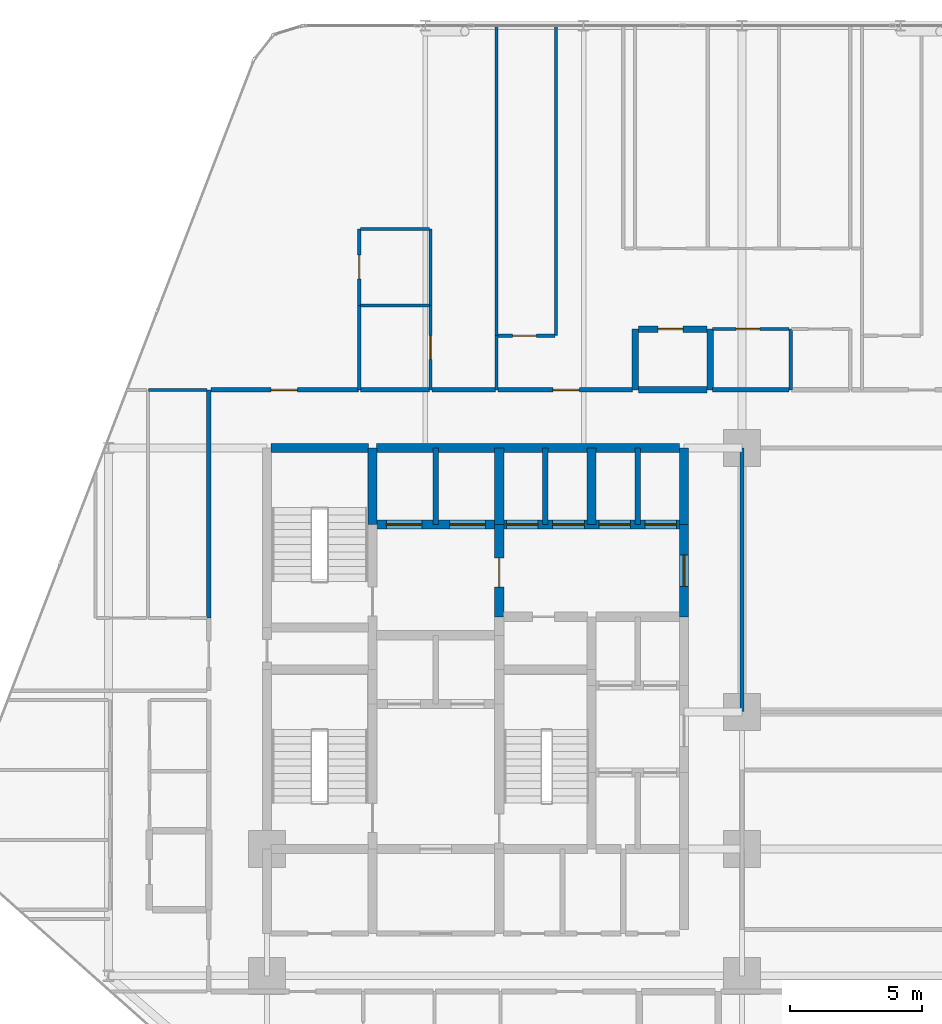
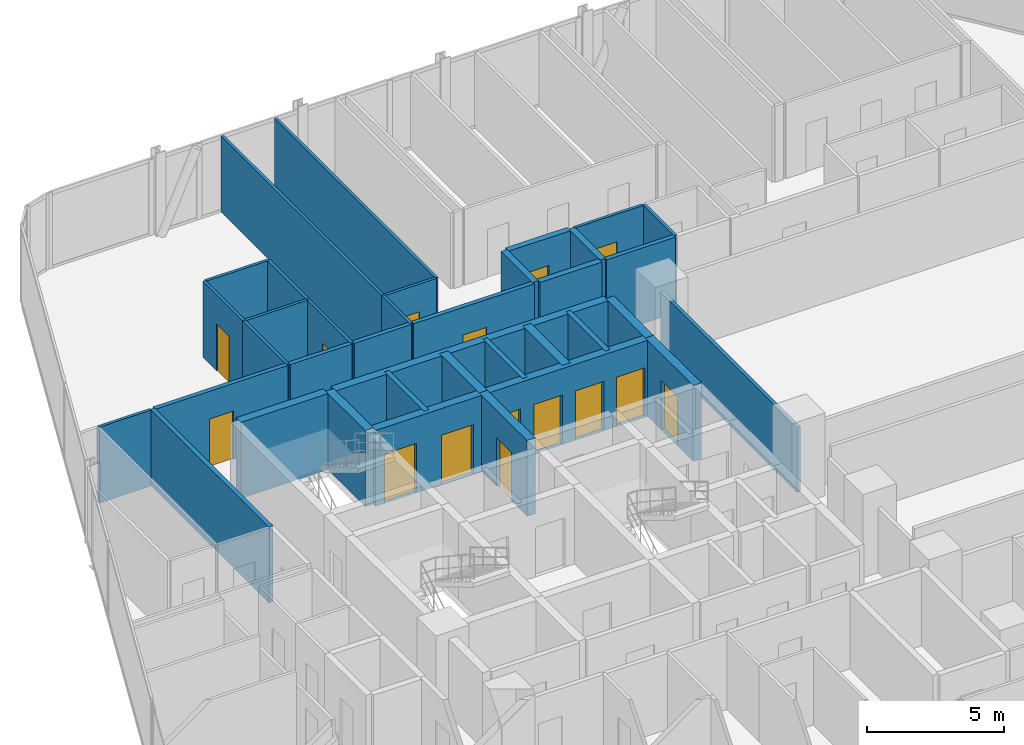
# One storey, part 30 of 33: 36 walls, 15 doors, 15 openings.
"""IFC4 building model written with IfcOpenShell, lengths in metres."""

from ifc_helpers import new_model, si_unit, direction, frame, frame_2d, origin, place, context, subcontext, project, spatial, rectangle, extrude, material, layer, layer_set, type_object, element, fill, save


model = new_model("IFC4")

# Units and contexts
model_context = context("Model", 3, precision=1e-05, world=origin(), true_north=direction((0.0, 1.0)))
body_context = subcontext(model_context, "Body", "Model", "MODEL_VIEW")
ifc_project = project(units=[si_unit("LENGTHUNIT", "METRE"), si_unit("AREAUNIT", "SQUARE_METRE"), si_unit("VOLUMEUNIT", "CUBIC_METRE"), si_unit("PLANEANGLEUNIT", "RADIAN"), si_unit("MASSUNIT", "GRAM", prefix="KILO")], contexts=[model_context])

# Site, building, storey
site_placement = place(None, origin())
site = spatial("IfcSite", under=ifc_project, at=site_placement, CompositionType="ELEMENT")
building_placement = place(site_placement, origin())
building = spatial("IfcBuilding", under=site, at=building_placement, Name="Keshet Zoharim Tower", CompositionType="ELEMENT")
storey_placement = place(building_placement, frame((0.0, 0.0, 27.699951171875)))
storey = spatial("IfcBuildingStorey", under=building, at=storey_placement, Name="L05", CompositionType="ELEMENT", Elevation=27.699951171875)

# Walls
ifc_material_1 = material(Name="Gypsum Plasterboard", Category="gypsum")
ifc_layer_1 = layer(ifc_material_1, 0.14990234375)
ifc_layer_set_1 = layer_set([ifc_layer_1], Name="Gypsum Plasterboard")
wall_type_1 = type_object("IfcWallType", Name="WL-CLIN-150", PredefinedType="STANDARD", material=ifc_layer_set_1)
wall_1_placement = place(storey_placement, frame((33.0, 27.909912109375, 0.0), z_axis=(0.0, 0.0, 1.0), x_axis=(0.0, 1.0, 0.0)))
element("IfcWall", 1, at=wall_1_placement, inside=storey, type_object=wall_type_1, Name="L05 Interior Wall 073", PredefinedType="STANDARD", context=body_context, shape_type="SweptSolid", body=[
    extrude(rectangle(XDim=9.97998046875, YDim=0.14990234375, at=frame_2d((4.989990234375, 0.0))), origin(), (0.0, 0.0, 1.0), 2.885009765625),
])
ifc_material_2 = material(Name="Concrete C60/75", Category="concrete")
ifc_layer_2 = layer(ifc_material_2, 0.35009765625)
ifc_layer_set_2 = layer_set([ifc_layer_2], Name="Concrete C60/75")
wall_type_2 = type_object("IfcWallType", Name="WL-CORE-350", PredefinedType="SHEAR", material=ifc_layer_set_2)
wall_2_placement = place(storey_placement, frame((19.0, 35.0, 0.0), z_axis=(0.0, 0.0, 1.0), x_axis=(0.0, 1.0, 0.0)))
element("IfcWall", 2, at=wall_2_placement, inside=storey, type_object=wall_type_2, Name="L05 Core Shear Wall 025", PredefinedType="SHEAR", context=body_context, shape_type="SweptSolid", body=[
    extrude(rectangle(XDim=2.89990234375, YDim=0.35009765625, at=frame_2d((1.449951171875, 0.0))), origin(), (0.0, 0.0, 1.0), 3.385009765625),
])

# Wall, opening, door
wall_3_placement = place(storey_placement, frame((23.800048828125, 31.5, 0.0), z_axis=(0.0, 0.0, 1.0), x_axis=(0.0, 1.0, 0.0)))
wall_3 = element("IfcWall", 3, at=wall_3_placement, inside=storey, type_object=wall_type_2, Name="L05 Core Shear Wall 039", PredefinedType="SHEAR", context=body_context, shape_type="SweptSolid", body=[
    extrude(rectangle(XDim=3.5, YDim=0.35009765625, at=frame_2d((1.75, 0.0))), origin(), (0.0, 0.0, 1.0), 3.385009765625),
])
opening_1_placement = place(wall_3_placement, frame((1.126953125, 0.0, 0.0)))
opening_1 = element("IfcOpeningElement", 4, at=opening_1_placement, cuts=wall_3, Name="Opening D-F611", PredefinedType="OPENING", context=body_context, shape_type="SweptSolid", body=[
    extrude(rectangle(XDim=1.10009765625, YDim=2.14990234375, at=frame_2d((0.550048828125, 1.074951171875))), frame((0.0, 0.18505859375, 0.0), z_axis=(0.0, -1.0, 0.0), x_axis=(1.0, 0.0, 0.0)), (0.0, 0.0, 1.0), 0.3701171875),
])
ifc_material_3 = material(Name="Hardwood Timber", Category="wood")
door_type_1 = type_object("IfcDoorType", Name="DR-FD60-110", OperationType="NOTDEFINED", PredefinedType="DOOR", material=ifc_material_3)
door_1_placement = place(opening_1_placement, origin())
door_1 = element("IfcDoor", 5, at=door_1_placement, inside=storey, type_object=door_type_1, Name="L05 Firefighting Lobby Fire Door", OperationType="SINGLE_SWING_LEFT", OverallHeight=2.14990234375, OverallWidth=1.10009765625, PredefinedType="DOOR", context=body_context, shape_type="SweptSolid", body=[
    extrude(rectangle(XDim=1.10009765625, YDim=2.14990234375, at=frame_2d((0.550048828125, 1.074951171875))), frame((0.0, 0.02490234375, 0.0), z_axis=(0.0, -1.0, 0.0), x_axis=(1.0, 0.0, 0.0)), (0.0, 0.0, 1.0), 0.050048828125),
])
fill(opening_1, door_1)

# Walls
for number, where, z_axis, x_axis, name in (
    (6, (23.800048828125, 35.0, 0.0), (0.0, 0.0, 1.0), (0.0, 1.0, 0.0), "L05 Core Shear Wall 040"),
    (7, (27.300048828125, 35.0, 0.0), (0.0, 0.0, 1.0), (0.0, 1.0, 0.0), "L05 Core Shear Wall 051"),
):
    element("IfcWall", number, at=place(storey_placement, frame(where, z_axis=z_axis, x_axis=x_axis)), inside=storey, type_object=wall_type_2, Name=name, PredefinedType="SHEAR", context=body_context, shape_type="SweptSolid", body=[
        extrude(rectangle(XDim=2.89990234375, YDim=0.35009765625, at=frame_2d((1.449951171875, 0.0))), origin(), (0.0, 0.0, 1.0), 3.385009765625),
    ])

# Wall, opening, door
wall_4_placement = place(storey_placement, frame((30.800048828125, 31.5, 0.0), z_axis=(0.0, 0.0, 1.0), x_axis=(0.0, 1.0, 0.0)))
wall_4 = element("IfcWall", 8, at=wall_4_placement, inside=storey, type_object=wall_type_2, Name="L05 Core Shear Wall 066", PredefinedType="SHEAR", context=body_context, shape_type="SweptSolid", body=[
    extrude(rectangle(XDim=3.5, YDim=0.35009765625, at=frame_2d((1.75, 0.0))), origin(), (0.0, 0.0, 1.0), 3.385009765625),
])
opening_2_placement = place(wall_4_placement, frame((1.14990234375, 0.0, 0.0)))
opening_2 = element("IfcOpeningElement", 9, at=opening_2_placement, cuts=wall_4, Name="Opening D-F612", PredefinedType="OPENING", context=body_context, shape_type="SweptSolid", body=[
    extrude(rectangle(XDim=1.199951171875, YDim=2.199951171875, at=frame_2d((0.60009765625, 1.10009765625))), frame((0.0, 0.18505859375, 0.0), z_axis=(0.0, -1.0, 0.0), x_axis=(1.0, 0.0, 0.0)), (0.0, 0.0, 1.0), 0.3701171875),
])
door_type_2 = type_object("IfcDoorType", Name="DR-FD60-120", OperationType="NOTDEFINED", PredefinedType="DOOR", material=ifc_material_3)
door_2_placement = place(opening_2_placement, origin())
door_2 = element("IfcDoor", 10, at=door_2_placement, inside=storey, type_object=door_type_2, Name="L05 North Lift Lobby East Fire Door", OperationType="SINGLE_SWING_LEFT", OverallHeight=2.199951171875, OverallWidth=1.199951171875, PredefinedType="DOOR", context=body_context, shape_type="SweptSolid", body=[
    extrude(rectangle(XDim=1.199951171875, YDim=2.199951171875, at=frame_2d((0.60009765625, 1.10009765625))), frame((0.0, 0.02490234375, 0.0), z_axis=(0.0, -1.0, 0.0), x_axis=(1.0, 0.0, 0.0)), (0.0, 0.0, 1.0), 0.050048828125),
])
fill(opening_2, door_2)

# Wall
wall_5_placement = place(storey_placement, frame((30.800048828125, 35.0, 0.0), z_axis=(0.0, 0.0, 1.0), x_axis=(0.0, 1.0, 0.0)))
element("IfcWall", 11, at=wall_5_placement, inside=storey, type_object=wall_type_2, Name="L05 Core Shear Wall 067", PredefinedType="SHEAR", context=body_context, shape_type="SweptSolid", body=[
    extrude(rectangle(XDim=2.89990234375, YDim=0.35009765625, at=frame_2d((1.449951171875, 0.0))), origin(), (0.0, 0.0, 1.0), 3.385009765625),
])

# Wall, openings, doors
wall_6_placement = place(storey_placement, frame((19.159912109375, 35.0, 0.0), z_axis=(0.0, 0.0, 1.0), x_axis=(1.0, 0.0, 0.0)))
wall_6 = element("IfcWall", 12, at=wall_6_placement, inside=storey, type_object=wall_type_2, Name="L05 Core Shear Wall 202", PredefinedType="SHEAR", context=body_context, shape_type="SweptSolid", body=[
    extrude(rectangle(XDim=11.47998046875, YDim=0.35009765625, at=frame_2d((5.739990234375, 0.0))), origin(), (0.0, 0.0, 1.0), 3.385009765625),
])
opening_3_placement = place(wall_6_placement, frame((0.364990234375, 0.0, 0.0)))
opening_3 = element("IfcOpeningElement", 13, at=opening_3_placement, cuts=wall_6, Name="Opening LD-02", PredefinedType="OPENING", context=body_context, shape_type="SweptSolid", body=[
    extrude(rectangle(XDim=1.35009765625, YDim=2.199951171875, at=frame_2d((0.675048828125, 1.10009765625))), frame((0.0, 0.18505859375, 0.0), z_axis=(0.0, -1.0, 0.0), x_axis=(1.0, 0.0, 0.0)), (0.0, 0.0, 1.0), 0.3701171875),
])
opening_4_placement = place(wall_6_placement, frame((2.764892578125, 0.0, 0.0)))
opening_4 = element("IfcOpeningElement", 14, at=opening_4_placement, cuts=wall_6, Name="Opening LD-02", PredefinedType="OPENING", context=body_context, shape_type="SweptSolid", body=[
    extrude(rectangle(XDim=1.35009765625, YDim=2.199951171875, at=frame_2d((0.675048828125, 1.10009765625))), frame((0.0, 0.18505859375, 0.0), z_axis=(0.0, -1.0, 0.0), x_axis=(1.0, 0.0, 0.0)), (0.0, 0.0, 1.0), 0.3701171875),
])
opening_5_placement = place(wall_6_placement, frame((4.9150390625, 0.0, 0.0)))
opening_5 = element("IfcOpeningElement", 15, at=opening_5_placement, cuts=wall_6, Name="Opening LD-03", PredefinedType="OPENING", context=body_context, shape_type="SweptSolid", body=[
    extrude(rectangle(XDim=1.199951171875, YDim=2.199951171875, at=frame_2d((0.60009765625, 1.10009765625))), frame((0.0, 0.18505859375, 0.0), z_axis=(0.0, -1.0, 0.0), x_axis=(1.0, 0.0, 0.0)), (0.0, 0.0, 1.0), 0.3701171875),
])
opening_6_placement = place(wall_6_placement, frame((6.6650390625, 0.0, 0.0)))
opening_6 = element("IfcOpeningElement", 16, at=opening_6_placement, cuts=wall_6, Name="Opening LD-03", PredefinedType="OPENING", context=body_context, shape_type="SweptSolid", body=[
    extrude(rectangle(XDim=1.199951171875, YDim=2.199951171875, at=frame_2d((0.60009765625, 1.10009765625))), frame((0.0, 0.18505859375, 0.0), z_axis=(0.0, -1.0, 0.0), x_axis=(1.0, 0.0, 0.0)), (0.0, 0.0, 1.0), 0.3701171875),
])
opening_7_placement = place(wall_6_placement, frame((8.4150390625, 0.0, 0.0)))
opening_7 = element("IfcOpeningElement", 17, at=opening_7_placement, cuts=wall_6, Name="Opening LD-03", PredefinedType="OPENING", context=body_context, shape_type="SweptSolid", body=[
    extrude(rectangle(XDim=1.199951171875, YDim=2.199951171875, at=frame_2d((0.60009765625, 1.10009765625))), frame((0.0, 0.18505859375, 0.0), z_axis=(0.0, -1.0, 0.0), x_axis=(1.0, 0.0, 0.0)), (0.0, 0.0, 1.0), 0.3701171875),
])
opening_8_placement = place(wall_6_placement, frame((10.159912109375, 0.0, 0.0)))
opening_8 = element("IfcOpeningElement", 18, at=opening_8_placement, cuts=wall_6, Name="Opening LD-03", PredefinedType="OPENING", context=body_context, shape_type="SweptSolid", body=[
    extrude(rectangle(XDim=1.199951171875, YDim=2.199951171875, at=frame_2d((0.60009765625, 1.10009765625))), frame((0.0, 0.18505859375, 0.0), z_axis=(0.0, -1.0, 0.0), x_axis=(1.0, 0.0, 0.0)), (0.0, 0.0, 1.0), 0.3701171875),
])
ifc_material_4 = material(Name="Steel S355", Category="steel")
door_type_3 = type_object("IfcDoorType", Name="DR-LD02-135", OperationType="DOUBLE_DOOR_SLIDING", PredefinedType="DOOR", material=ifc_material_4)
door_3_placement = place(opening_3_placement, origin())
door_3 = element("IfcDoor", 19, at=door_3_placement, inside=storey, type_object=door_type_3, Name="L05 Firefighting Lift Landing Door FF-01", OperationType="DOUBLE_DOOR_SLIDING", OverallHeight=2.199951171875, OverallWidth=1.35009765625, PredefinedType="DOOR", context=body_context, shape_type="SweptSolid", body=[
    extrude(rectangle(XDim=1.35009765625, YDim=2.199951171875, at=frame_2d((0.675048828125, 1.10009765625))), frame((0.0, 0.02490234375, 0.0), z_axis=(0.0, -1.0, 0.0), x_axis=(1.0, 0.0, 0.0)), (0.0, 0.0, 1.0), 0.050048828125),
])
fill(opening_3, door_3)
door_4_placement = place(opening_4_placement, origin())
door_4 = element("IfcDoor", 20, at=door_4_placement, inside=storey, type_object=door_type_3, Name="L05 Firefighting Lift Landing Door FF-02", OperationType="DOUBLE_DOOR_SLIDING", OverallHeight=2.199951171875, OverallWidth=1.35009765625, PredefinedType="DOOR", context=body_context, shape_type="SweptSolid", body=[
    extrude(rectangle(XDim=1.35009765625, YDim=2.199951171875, at=frame_2d((0.675048828125, 1.10009765625))), frame((0.0, 0.02490234375, 0.0), z_axis=(0.0, -1.0, 0.0), x_axis=(1.0, 0.0, 0.0)), (0.0, 0.0, 1.0), 0.050048828125),
])
fill(opening_4, door_4)
door_type_4 = type_object("IfcDoorType", Name="DR-LD03-120", OperationType="DOUBLE_DOOR_SLIDING", PredefinedType="DOOR", material=ifc_material_4)
door_5_placement = place(opening_5_placement, origin())
door_5 = element("IfcDoor", 21, at=door_5_placement, inside=storey, type_object=door_type_4, Name="L05 Passenger Lift Landing Door LF-01", OperationType="DOUBLE_DOOR_SLIDING", OverallHeight=2.199951171875, OverallWidth=1.199951171875, PredefinedType="DOOR", context=body_context, shape_type="SweptSolid", body=[
    extrude(rectangle(XDim=1.199951171875, YDim=2.199951171875, at=frame_2d((0.60009765625, 1.10009765625))), frame((0.0, 0.02490234375, 0.0), z_axis=(0.0, -1.0, 0.0), x_axis=(1.0, 0.0, 0.0)), (0.0, 0.0, 1.0), 0.050048828125),
])
fill(opening_5, door_5)
door_6_placement = place(opening_6_placement, origin())
door_6 = element("IfcDoor", 22, at=door_6_placement, inside=storey, type_object=door_type_4, Name="L05 Passenger Lift Landing Door LF-02", OperationType="DOUBLE_DOOR_SLIDING", OverallHeight=2.199951171875, OverallWidth=1.199951171875, PredefinedType="DOOR", context=body_context, shape_type="SweptSolid", body=[
    extrude(rectangle(XDim=1.199951171875, YDim=2.199951171875, at=frame_2d((0.60009765625, 1.10009765625))), frame((0.0, 0.02490234375, 0.0), z_axis=(0.0, -1.0, 0.0), x_axis=(1.0, 0.0, 0.0)), (0.0, 0.0, 1.0), 0.050048828125),
])
fill(opening_6, door_6)
door_7_placement = place(opening_7_placement, origin())
door_7 = element("IfcDoor", 23, at=door_7_placement, inside=storey, type_object=door_type_4, Name="L05 Passenger Lift Landing Door LF-03", OperationType="DOUBLE_DOOR_SLIDING", OverallHeight=2.199951171875, OverallWidth=1.199951171875, PredefinedType="DOOR", context=body_context, shape_type="SweptSolid", body=[
    extrude(rectangle(XDim=1.199951171875, YDim=2.199951171875, at=frame_2d((0.60009765625, 1.10009765625))), frame((0.0, 0.02490234375, 0.0), z_axis=(0.0, -1.0, 0.0), x_axis=(1.0, 0.0, 0.0)), (0.0, 0.0, 1.0), 0.050048828125),
])
fill(opening_7, door_7)
door_8_placement = place(opening_8_placement, origin())
door_8 = element("IfcDoor", 24, at=door_8_placement, inside=storey, type_object=door_type_4, Name="L05 Passenger Lift Landing Door LF-04", OperationType="DOUBLE_DOOR_SLIDING", OverallHeight=2.199951171875, OverallWidth=1.199951171875, PredefinedType="DOOR", context=body_context, shape_type="SweptSolid", body=[
    extrude(rectangle(XDim=1.199951171875, YDim=2.199951171875, at=frame_2d((0.60009765625, 1.10009765625))), frame((0.0, 0.02490234375, 0.0), z_axis=(0.0, -1.0, 0.0), x_axis=(1.0, 0.0, 0.0)), (0.0, 0.0, 1.0), 0.050048828125),
])
fill(opening_8, door_8)

# Walls
wall_7_placement = place(storey_placement, frame((15.159912109375, 37.89990234375, 0.0), z_axis=(0.0, 0.0, 1.0), x_axis=(1.0, 0.0, 0.0)))
element("IfcWall", 25, at=wall_7_placement, inside=storey, type_object=wall_type_2, Name="L05 Core Shear Wall 203", PredefinedType="SHEAR", context=body_context, shape_type="SweptSolid", body=[
    extrude(rectangle(XDim=3.68017578125, YDim=0.35009765625, at=frame_2d((1.840087890625, 0.0))), origin(), (0.0, 0.0, 1.0), 3.385009765625),
])
wall_8_placement = place(storey_placement, frame((19.159912109375, 37.89990234375, 0.0), z_axis=(0.0, 0.0, 1.0), x_axis=(1.0, 0.0, 0.0)))
element("IfcWall", 26, at=wall_8_placement, inside=storey, type_object=wall_type_2, Name="L05 Core Shear Wall 204", PredefinedType="SHEAR", context=body_context, shape_type="SweptSolid", body=[
    extrude(rectangle(XDim=11.47998046875, YDim=0.35009765625, at=frame_2d((5.739990234375, 0.0))), origin(), (0.0, 0.0, 1.0), 3.385009765625),
])
ifc_layer_3 = layer(ifc_material_1, 0.179931640625)
ifc_layer_set_3 = layer_set([ifc_layer_3], Name="Gypsum Plasterboard")
wall_type_3 = type_object("IfcWallType", Name="WL-CORR-180", PredefinedType="STANDARD", material=ifc_layer_set_3)
wall_9_placement = place(storey_placement, frame((12.800048828125, 31.449951171875, 0.0), z_axis=(0.0, 0.0, 1.0), x_axis=(0.0, 1.0, 0.0)))
element("IfcWall", 27, at=wall_9_placement, inside=storey, type_object=wall_type_3, Name="L05 Interior Wall 012", PredefinedType="STANDARD", context=body_context, shape_type="SweptSolid", body=[
    extrude(rectangle(XDim=8.650146484375, YDim=0.179931640625, at=frame_2d((4.3251953125, 0.0))), origin(), (0.0, 0.0, 1.0), 3.385009765625),
])

# Wall, opening, door
wall_10_placement = place(storey_placement, frame((12.875, 40.10009765625, 0.0), z_axis=(0.0, 0.0, 1.0), x_axis=(1.0, 0.0, 0.0)))
wall_10 = element("IfcWall", 28, at=wall_10_placement, inside=storey, type_object=wall_type_3, Name="L05 Interior Wall 208", PredefinedType="STANDARD", context=body_context, shape_type="SweptSolid", body=[
    extrude(rectangle(XDim=5.590087890625, YDim=0.179931640625, at=frame_2d((2.794921875, 0.0))), origin(), (0.0, 0.0, 1.0), 3.385009765625),
])
opening_9_placement = place(wall_10_placement, frame((2.280029296875, 0.0, 0.0)))
opening_9 = element("IfcOpeningElement", 29, at=opening_9_placement, cuts=wall_10, Name="Opening D-F310", PredefinedType="OPENING", context=body_context, shape_type="SweptSolid", body=[
    extrude(rectangle(XDim=1.0, YDim=2.14990234375, at=frame_2d((0.5, 1.074951171875))), frame((0.0, 0.10009765625, 0.0), z_axis=(0.0, -1.0, 0.0), x_axis=(1.0, 0.0, 0.0)), (0.0, 0.0, 1.0), 0.199951171875),
])
door_type_5 = type_object("IfcDoorType", Name="DR-FD30-100", OperationType="NOTDEFINED", PredefinedType="DOOR", material=ifc_material_3)
door_9_placement = place(opening_9_placement, origin())
door_9 = element("IfcDoor", 30, at=door_9_placement, inside=storey, type_object=door_type_5, Name="Apartment 0505 Entrance Door", OperationType="SINGLE_SWING_LEFT", OverallHeight=2.14990234375, OverallWidth=1.0, PredefinedType="DOOR", context=body_context, shape_type="SweptSolid", body=[
    extrude(rectangle(XDim=1.0, YDim=2.14990234375, at=frame_2d((0.5, 1.074951171875))), frame((0.0, 0.02490234375, 0.0), z_axis=(0.0, -1.0, 0.0), x_axis=(1.0, 0.0, 0.0)), (0.0, 0.0, 1.0), 0.050048828125),
])
fill(opening_9, door_9)

# Walls
wall_11_placement = place(storey_placement, frame((18.554931640625, 40.10009765625, 0.0), z_axis=(0.0, 0.0, 1.0), x_axis=(1.0, 0.0, 0.0)))
element("IfcWall", 31, at=wall_11_placement, inside=storey, type_object=wall_type_3, Name="L05 Interior Wall 209", PredefinedType="STANDARD", context=body_context, shape_type="SweptSolid", body=[
    extrude(rectangle(XDim=2.610107421875, YDim=0.179931640625, at=frame_2d((1.30517578125, 0.0))), origin(), (0.0, 0.0, 1.0), 3.385009765625),
])
wall_12_placement = place(storey_placement, frame((21.2548828125, 40.10009765625, 0.0), z_axis=(0.0, 0.0, 1.0), x_axis=(1.0, 0.0, 0.0)))
element("IfcWall", 32, at=wall_12_placement, inside=storey, type_object=wall_type_3, Name="L05 Interior Wall 210", PredefinedType="STANDARD", context=body_context, shape_type="SweptSolid", body=[
    extrude(rectangle(XDim=2.41015625, YDim=0.179931640625, at=frame_2d((1.205078125, 0.0))), origin(), (0.0, 0.0, 1.0), 3.385009765625),
])

# Wall, opening, door
wall_13_placement = place(storey_placement, frame((23.7548828125, 40.10009765625, 0.0), z_axis=(0.0, 0.0, 1.0), x_axis=(1.0, 0.0, 0.0)))
wall_13 = element("IfcWall", 33, at=wall_13_placement, inside=storey, type_object=wall_type_3, Name="L05 Interior Wall 211", PredefinedType="STANDARD", context=body_context, shape_type="SweptSolid", body=[
    extrude(rectangle(XDim=5.09521484375, YDim=0.179931640625, at=frame_2d((2.547607421875, 0.0))), origin(), (0.0, 0.0, 1.0), 3.385009765625),
])
opening_10_placement = place(wall_13_placement, frame((2.080078125, 0.0, 0.0)))
opening_10 = element("IfcOpeningElement", 34, at=opening_10_placement, cuts=wall_13, Name="Opening D-F310", PredefinedType="OPENING", context=body_context, shape_type="SweptSolid", body=[
    extrude(rectangle(XDim=1.0, YDim=2.14990234375, at=frame_2d((0.5, 1.074951171875))), frame((0.0, 0.10009765625, 0.0), z_axis=(0.0, -1.0, 0.0), x_axis=(1.0, 0.0, 0.0)), (0.0, 0.0, 1.0), 0.199951171875),
])
door_10_placement = place(opening_10_placement, origin())
door_10 = element("IfcDoor", 35, at=door_10_placement, inside=storey, type_object=door_type_5, Name="Apartment 0506 Entrance Door", OperationType="SINGLE_SWING_RIGHT", OverallHeight=2.14990234375, OverallWidth=1.0, PredefinedType="DOOR", context=body_context, shape_type="SweptSolid", body=[
    extrude(rectangle(XDim=1.0, YDim=2.14990234375, at=frame_2d((0.5, 1.074951171875))), frame((0.0, 0.02490234375, 0.0), z_axis=(0.0, -1.0, 0.0), x_axis=(1.0, 0.0, 0.0)), (0.0, 0.0, 1.0), 0.050048828125),
])
fill(opening_10, door_10)

# Walls
wall_14_placement = place(storey_placement, frame((31.889892578125, 40.10009765625, 0.0), z_axis=(0.0, 0.0, 1.0), x_axis=(1.0, 0.0, 0.0)))
element("IfcWall", 36, at=wall_14_placement, inside=storey, type_object=wall_type_3, Name="L05 Interior Wall 213", PredefinedType="STANDARD", context=body_context, shape_type="SweptSolid", body=[
    extrude(rectangle(XDim=2.89306640625, YDim=0.179931640625, at=frame_2d((1.446533203125, 0.0))), origin(), (0.0, 0.0, 1.0), 3.385009765625),
])
ifc_material_5 = material(Name="Concrete C50/60", Category="concrete")
ifc_layer_4 = layer(ifc_material_5, 0.199951171875)
ifc_layer_set_4 = layer_set([ifc_layer_4], Name="Concrete C50/60")
wall_type_4 = type_object("IfcWallType", Name="WL-FIRE-200", PredefinedType="STANDARD", material=ifc_layer_set_4)
for number, where, z_axis, x_axis, name in (
    (37, (21.39990234375, 35.0, 0.0), (0.0, 0.0, 1.0), (0.0, 1.0, 0.0), "L05 Interior Wall 031"),
    (38, (25.550048828125, 35.0, 0.0), (0.0, 0.0, 1.0), (0.0, 1.0, 0.0), "L05 Interior Wall 043"),
    (39, (29.050048828125, 35.0, 0.0), (0.0, 0.0, 1.0), (0.0, 1.0, 0.0), "L05 Interior Wall 059"),
):
    element("IfcWall", number, at=place(storey_placement, frame(where, z_axis=z_axis, x_axis=x_axis)), inside=storey, type_object=wall_type_4, Name=name, PredefinedType="STANDARD", context=body_context, shape_type="SweptSolid", body=[
        extrude(rectangle(XDim=2.89990234375, YDim=0.199951171875, at=frame_2d((1.449951171875, 0.0))), origin(), (0.0, 0.0, 1.0), 3.385009765625),
    ])
ifc_layer_5 = layer(ifc_material_5, 0.25)
ifc_layer_set_5 = layer_set([ifc_layer_5], Name="Concrete C50/60")
wall_type_5 = type_object("IfcWallType", Name="WL-MAMAD-250", PredefinedType="STANDARD", material=ifc_layer_set_5)
for number, where, z_axis, x_axis, name in (
    (40, (28.949951171875, 40.10009765625, 0.0), (0.0, 0.0, 1.0), (0.0, 1.0, 0.0), "L05 Interior Wall 055"),
    (41, (31.800048828125, 40.10009765625, 0.0), (0.0, 0.0, 1.0), (0.0, 1.0, 0.0), "L05 Interior Wall 069"),
):
    element("IfcWall", number, at=place(storey_placement, frame(where, z_axis=z_axis, x_axis=x_axis)), inside=storey, type_object=wall_type_5, Name=name, PredefinedType="STANDARD", context=body_context, shape_type="SweptSolid", body=[
        extrude(rectangle(XDim=2.2998046875, YDim=0.25, at=frame_2d((1.14990234375, 0.0))), origin(), (0.0, 0.0, 1.0), 3.385009765625),
    ])
wall_15_placement = place(storey_placement, frame((29.070068359375, 40.10009765625, 0.0), z_axis=(0.0, 0.0, 1.0), x_axis=(1.0, 0.0, 0.0)))
element("IfcWall", 42, at=wall_15_placement, inside=storey, type_object=wall_type_5, Name="L05 Interior Wall 212", PredefinedType="STANDARD", context=body_context, shape_type="SweptSolid", body=[
    extrude(rectangle(XDim=2.599853515625, YDim=0.25, at=frame_2d((1.2998046875, 0.0))), origin(), (0.0, 0.0, 1.0), 3.385009765625),
])

# Wall, opening, door
wall_16_placement = place(storey_placement, frame((29.070068359375, 42.39990234375, 0.0), z_axis=(0.0, 0.0, 1.0), x_axis=(1.0, 0.0, 0.0)))
wall_16 = element("IfcWall", 43, at=wall_16_placement, inside=storey, type_object=wall_type_5, Name="L05 Interior Wall 226", PredefinedType="STANDARD", context=body_context, shape_type="SweptSolid", body=[
    extrude(rectangle(XDim=2.599853515625, YDim=0.25, at=frame_2d((1.2998046875, 0.0))), origin(), (0.0, 0.0, 1.0), 3.385009765625),
])
opening_11_placement = place(wall_16_placement, frame((0.75, 0.0, 0.0)))
opening_11 = element("IfcOpeningElement", 44, at=opening_11_placement, cuts=wall_16, Name="Opening D-F695", PredefinedType="OPENING", context=body_context, shape_type="SweptSolid", body=[
    extrude(rectangle(XDim=0.949951171875, YDim=2.14990234375, at=frame_2d((0.47509765625, 1.074951171875))), frame((0.0, 0.135009765625, 0.0), z_axis=(0.0, -1.0, 0.0), x_axis=(1.0, 0.0, 0.0)), (0.0, 0.0, 1.0), 0.27001953125),
])
door_type_6 = type_object("IfcDoorType", Name="DR-FD60-095", OperationType="NOTDEFINED", PredefinedType="DOOR", material=ifc_material_3)
door_11_placement = place(opening_11_placement, origin())
door_11 = element("IfcDoor", 45, at=door_11_placement, inside=storey, type_object=door_type_6, Name="Apartment 0506 Study and Shelter Room Door", OperationType="SINGLE_SWING_LEFT", OverallHeight=2.14990234375, OverallWidth=0.949951171875, PredefinedType="DOOR", context=body_context, shape_type="SweptSolid", body=[
    extrude(rectangle(XDim=0.949951171875, YDim=2.14990234375, at=frame_2d((0.47509765625, 1.074951171875))), frame((0.0, 0.02490234375, 0.0), z_axis=(0.0, -1.0, 0.0), x_axis=(1.0, 0.0, 0.0)), (0.0, 0.0, 1.0), 0.050048828125),
])
fill(opening_11, door_11)

# Wall
ifc_layer_6 = layer(ifc_material_1, 0.1201171875)
ifc_layer_set_6 = layer_set([ifc_layer_6], Name="Gypsum Plasterboard")
wall_type_6 = type_object("IfcWallType", Name="WL-PART-120", PredefinedType="PARTITIONING", material=ifc_layer_set_6)
wall_17_placement = place(storey_placement, frame((18.5, 40.10009765625, 0.0), z_axis=(0.0, 0.0, 1.0), x_axis=(0.0, 1.0, 0.0)))
element("IfcWall", 46, at=wall_17_placement, inside=storey, type_object=wall_type_6, Name="L05 Interior Wall 017", PredefinedType="PARTITIONING", context=body_context, shape_type="SweptSolid", body=[
    extrude(rectangle(XDim=3.199951171875, YDim=0.1201171875, at=frame_2d((1.60009765625, 0.0))), origin(), (0.0, 0.0, 1.0), 3.385009765625),
])

# Wall, opening, door
wall_18_placement = place(storey_placement, frame((21.199951171875, 40.10009765625, 0.0), z_axis=(0.0, 0.0, 1.0), x_axis=(0.0, 1.0, 0.0)))
wall_18 = element("IfcWall", 47, at=wall_18_placement, inside=storey, type_object=wall_type_6, Name="L05 Interior Wall 026", PredefinedType="PARTITIONING", context=body_context, shape_type="SweptSolid", body=[
    extrude(rectangle(XDim=3.199951171875, YDim=0.1201171875, at=frame_2d((1.60009765625, 0.0))), origin(), (0.0, 0.0, 1.0), 3.385009765625),
])
opening_12_placement = place(wall_18_placement, frame((1.14990234375, 0.0, 0.0)))
opening_12 = element("IfcOpeningElement", 48, at=opening_12_placement, cuts=wall_18, Name="Opening D-IN90", PredefinedType="OPENING", context=body_context, shape_type="SweptSolid", body=[
    extrude(rectangle(XDim=0.89990234375, YDim=2.14990234375, at=frame_2d((0.449951171875, 1.074951171875))), frame((0.0, 0.070068359375, 0.0), z_axis=(0.0, -1.0, 0.0), x_axis=(1.0, 0.0, 0.0)), (0.0, 0.0, 1.0), 0.14013671875),
])
door_type_7 = type_object("IfcDoorType", Name="DR-INT-090", OperationType="NOTDEFINED", PredefinedType="DOOR", material=ifc_material_3)
door_12_placement = place(opening_12_placement, origin())
door_12 = element("IfcDoor", 49, at=door_12_placement, inside=storey, type_object=door_type_7, Name="Apartment 0505 Kitchenette Door", OperationType="SINGLE_SWING_LEFT", OverallHeight=2.14990234375, OverallWidth=0.89990234375, PredefinedType="DOOR", context=body_context, shape_type="SweptSolid", body=[
    extrude(rectangle(XDim=0.89990234375, YDim=2.14990234375, at=frame_2d((0.449951171875, 1.074951171875))), frame((0.0, 0.02490234375, 0.0), z_axis=(0.0, -1.0, 0.0), x_axis=(1.0, 0.0, 0.0)), (0.0, 0.0, 1.0), 0.050048828125),
])
fill(opening_12, door_12)

# Walls
wall_19_placement = place(storey_placement, frame((23.699951171875, 40.10009765625, 0.0), z_axis=(0.0, 0.0, 1.0), x_axis=(0.0, 1.0, 0.0)))
element("IfcWall", 50, at=wall_19_placement, inside=storey, type_object=wall_type_6, Name="L05 Interior Wall 032", PredefinedType="PARTITIONING", context=body_context, shape_type="SweptSolid", body=[
    extrude(rectangle(XDim=2.0498046875, YDim=0.1201171875, at=frame_2d((1.02490234375, 0.0))), origin(), (0.0, 0.0, 1.0), 3.385009765625),
])
for number, where, z_axis, x_axis, name in (
    (51, (23.699951171875, 42.14990234375, 0.0), (0.0, 0.0, 1.0), (0.0, 1.0, 0.0), "L05 Interior Wall 033"),
    (52, (25.949951171875, 42.14990234375, 0.0), (0.0, 0.0, 1.0), (0.0, 1.0, 0.0), "L05 Interior Wall 044"),
):
    element("IfcWall", number, at=place(storey_placement, frame(where, z_axis=z_axis, x_axis=x_axis)), inside=storey, type_object=wall_type_6, Name=name, PredefinedType="PARTITIONING", context=body_context, shape_type="SweptSolid", body=[
        extrude(rectangle(XDim=11.739990234375, YDim=0.1201171875, at=frame_2d((5.8701171875, 0.0))), origin(), (0.0, 0.0, 1.0), 3.385009765625),
    ])

# Wall, opening, door
wall_20_placement = place(storey_placement, frame((23.7548828125, 42.14990234375, 0.0), z_axis=(0.0, 0.0, 1.0), x_axis=(1.0, 0.0, 0.0)))
wall_20 = element("IfcWall", 53, at=wall_20_placement, inside=storey, type_object=wall_type_6, Name="L05 Interior Wall 224", PredefinedType="PARTITIONING", context=body_context, shape_type="SweptSolid", body=[
    extrude(rectangle(XDim=2.16015625, YDim=0.1201171875, at=frame_2d((1.080078125, 0.0))), origin(), (0.0, 0.0, 1.0), 3.385009765625),
])
opening_13_placement = place(wall_20_placement, frame((0.552978515625, 0.0, 0.0)))
opening_13 = element("IfcOpeningElement", 54, at=opening_13_placement, cuts=wall_20, Name="Opening D-IN90", PredefinedType="OPENING", context=body_context, shape_type="SweptSolid", body=[
    extrude(rectangle(XDim=0.89990234375, YDim=2.14990234375, at=frame_2d((0.449951171875, 1.074951171875))), frame((0.0, 0.070068359375, 0.0), z_axis=(0.0, -1.0, 0.0), x_axis=(1.0, 0.0, 0.0)), (0.0, 0.0, 1.0), 0.14013671875),
])
door_13_placement = place(opening_13_placement, origin())
door_13 = element("IfcDoor", 55, at=door_13_placement, inside=storey, type_object=door_type_7, Name="Apartment 0506 Formal Dining Room Door", OperationType="SINGLE_SWING_LEFT", OverallHeight=2.14990234375, OverallWidth=0.89990234375, PredefinedType="DOOR", context=body_context, shape_type="SweptSolid", body=[
    extrude(rectangle(XDim=0.89990234375, YDim=2.14990234375, at=frame_2d((0.449951171875, 1.074951171875))), frame((0.0, 0.02490234375, 0.0), z_axis=(0.0, -1.0, 0.0), x_axis=(1.0, 0.0, 0.0)), (0.0, 0.0, 1.0), 0.050048828125),
])
fill(opening_13, door_13)

wall_21_placement = place(storey_placement, frame((31.889892578125, 42.39990234375, 0.0), z_axis=(0.0, 0.0, 1.0), x_axis=(1.0, 0.0, 0.0)))
wall_21 = element("IfcWall", 56, at=wall_21_placement, inside=storey, type_object=wall_type_6, Name="L05 Interior Wall 227", PredefinedType="PARTITIONING", context=body_context, shape_type="SweptSolid", body=[
    extrude(rectangle(XDim=2.89306640625, YDim=0.1201171875, at=frame_2d((1.446533203125, 0.0))), origin(), (0.0, 0.0, 1.0), 3.385009765625),
])
opening_14_placement = place(wall_21_placement, frame((0.889892578125, 0.0, 0.0)))
opening_14 = element("IfcOpeningElement", 57, at=opening_14_placement, cuts=wall_21, Name="Opening D-IN90", PredefinedType="OPENING", context=body_context, shape_type="SweptSolid", body=[
    extrude(rectangle(XDim=0.89990234375, YDim=2.14990234375, at=frame_2d((0.449951171875, 1.074951171875))), frame((0.0, 0.070068359375, 0.0), z_axis=(0.0, -1.0, 0.0), x_axis=(1.0, 0.0, 0.0)), (0.0, 0.0, 1.0), 0.14013671875),
])
door_14_placement = place(opening_14_placement, origin())
door_14 = element("IfcDoor", 58, at=door_14_placement, inside=storey, type_object=door_type_7, Name="Apartment 0506 Kitchen Door", OperationType="SINGLE_SWING_RIGHT", OverallHeight=2.14990234375, OverallWidth=0.89990234375, PredefinedType="DOOR", context=body_context, shape_type="SweptSolid", body=[
    extrude(rectangle(XDim=0.89990234375, YDim=2.14990234375, at=frame_2d((0.449951171875, 1.074951171875))), frame((0.0, 0.02490234375, 0.0), z_axis=(0.0, -1.0, 0.0), x_axis=(1.0, 0.0, 0.0)), (0.0, 0.0, 1.0), 0.050048828125),
])
fill(opening_14, door_14)

ifc_layer_7 = layer(ifc_material_1, 0.1201171875)
ifc_layer_set_7 = layer_set([ifc_layer_7], Name="Gypsum Plasterboard")
wall_type_7 = type_object("IfcWallType", Name="WL-WET-120", PredefinedType="PARTITIONING", material=ifc_layer_set_7)
wall_22_placement = place(storey_placement, frame((18.5, 43.300048828125, 0.0), z_axis=(0.0, 0.0, 1.0), x_axis=(0.0, 1.0, 0.0)))
wall_22 = element("IfcWall", 59, at=wall_22_placement, inside=storey, type_object=wall_type_7, Name="L05 Interior Wall 018", PredefinedType="PARTITIONING", context=body_context, shape_type="SweptSolid", body=[
    extrude(rectangle(XDim=2.89990234375, YDim=0.1201171875, at=frame_2d((1.449951171875, 0.0))), origin(), (0.0, 0.0, 1.0), 3.385009765625),
])
opening_15_placement = place(wall_22_placement, frame((1.0, 0.0, 0.0)))
opening_15 = element("IfcOpeningElement", 60, at=opening_15_placement, cuts=wall_22, Name="Opening D-WT90", PredefinedType="OPENING", context=body_context, shape_type="SweptSolid", body=[
    extrude(rectangle(XDim=0.89990234375, YDim=2.10009765625, at=frame_2d((0.449951171875, 1.050048828125))), frame((0.0, 0.070068359375, 0.0), z_axis=(0.0, -1.0, 0.0), x_axis=(1.0, 0.0, 0.0)), (0.0, 0.0, 1.0), 0.14013671875),
])
door_type_8 = type_object("IfcDoorType", Name="DR-WET-090", OperationType="NOTDEFINED", PredefinedType="DOOR", material=ifc_material_3)
door_15_placement = place(opening_15_placement, origin())
door_15 = element("IfcDoor", 61, at=door_15_placement, inside=storey, type_object=door_type_8, Name="Apartment 0505 Bathroom Door", OperationType="SINGLE_SWING_RIGHT", OverallHeight=2.10009765625, OverallWidth=0.89990234375, PredefinedType="DOOR", context=body_context, shape_type="SweptSolid", body=[
    extrude(rectangle(XDim=0.89990234375, YDim=2.10009765625, at=frame_2d((0.449951171875, 1.050048828125))), frame((0.0, 0.02490234375, 0.0), z_axis=(0.0, -1.0, 0.0), x_axis=(1.0, 0.0, 0.0)), (0.0, 0.0, 1.0), 0.050048828125),
])
fill(opening_15, door_15)

# Walls
wall_23_placement = place(storey_placement, frame((21.199951171875, 43.300048828125, 0.0), z_axis=(0.0, 0.0, 1.0), x_axis=(0.0, 1.0, 0.0)))
element("IfcWall", 62, at=wall_23_placement, inside=storey, type_object=wall_type_7, Name="L05 Interior Wall 027", PredefinedType="PARTITIONING", context=body_context, shape_type="SweptSolid", body=[
    extrude(rectangle(XDim=2.89990234375, YDim=0.1201171875, at=frame_2d((1.449951171875, 0.0))), origin(), (0.0, 0.0, 1.0), 3.385009765625),
])
wall_24_placement = place(storey_placement, frame((34.85009765625, 40.10009765625, 0.0), z_axis=(0.0, 0.0, 1.0), x_axis=(0.0, 1.0, 0.0)))
element("IfcWall", 63, at=wall_24_placement, inside=storey, type_object=wall_type_7, Name="L05 Interior Wall 075", PredefinedType="PARTITIONING", context=body_context, shape_type="SweptSolid", body=[
    extrude(rectangle(XDim=2.2998046875, YDim=0.1201171875, at=frame_2d((1.14990234375, 0.0))), origin(), (0.0, 0.0, 1.0), 3.385009765625),
])
wall_25_placement = place(storey_placement, frame((10.52294921875, 40.10009765625, 0.0), z_axis=(0.0, 0.0, 1.0), x_axis=(1.0, 0.0, 0.0)))
element("IfcWall", 64, at=wall_25_placement, inside=storey, type_object=wall_type_7, Name="L05 Interior Wall 207", PredefinedType="PARTITIONING", context=body_context, shape_type="SweptSolid", body=[
    extrude(rectangle(XDim=2.2021484375, YDim=0.1201171875, at=frame_2d((1.10107421875, 0.0))), origin(), (0.0, 0.0, 1.0), 3.385009765625),
])
for number, where, z_axis, x_axis, name in (
    (65, (18.554931640625, 43.300048828125, 0.0), (0.0, 0.0, 1.0), (1.0, 0.0, 0.0), "L05 Interior Wall 233"),
    (66, (18.554931640625, 46.199951171875, 0.0), (0.0, 0.0, 1.0), (1.0, 0.0, 0.0), "L05 Interior Wall 240"),
):
    element("IfcWall", number, at=place(storey_placement, frame(where, z_axis=z_axis, x_axis=x_axis)), inside=storey, type_object=wall_type_7, Name=name, PredefinedType="PARTITIONING", context=body_context, shape_type="SweptSolid", body=[
        extrude(rectangle(XDim=2.610107421875, YDim=0.1201171875, at=frame_2d((1.30517578125, 0.0))), origin(), (0.0, 0.0, 1.0), 3.385009765625),
    ])

save(model, "model.ifc")
